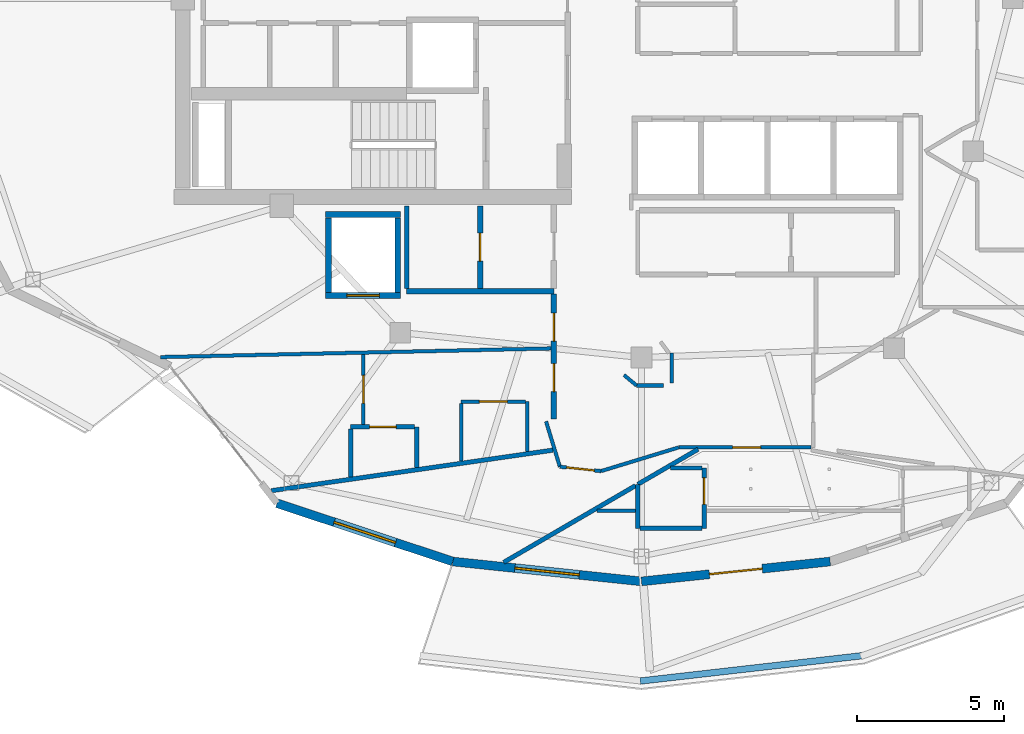
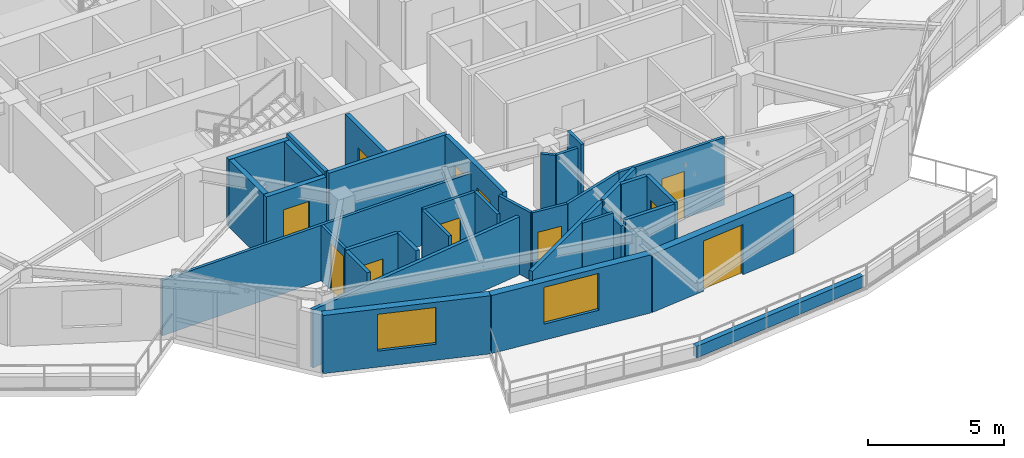
# One storey, part 8 of 21: 35 walls, 11 doors, 2 windows, 13 openings.
"""IFC4 building model written with IfcOpenShell, lengths in metres."""

from ifc_helpers import new_model, si_unit, direction, frame, frame_2d, origin, place, context, subcontext, project, spatial, rectangle, extrude, material, layer, layer_set, type_object, element, fill, save


model = new_model("IFC4")

# Units and contexts
model_context = context("Model", 3, precision=1e-05, world=origin(), true_north=direction((0.0, 1.0)))
body_context = subcontext(model_context, "Body", "Model", "MODEL_VIEW")
ifc_project = project(units=[si_unit("LENGTHUNIT", "METRE"), si_unit("AREAUNIT", "SQUARE_METRE"), si_unit("VOLUMEUNIT", "CUBIC_METRE"), si_unit("PLANEANGLEUNIT", "RADIAN"), si_unit("MASSUNIT", "GRAM", prefix="KILO")], contexts=[model_context])

# Site, building, storey
site_placement = place(None, origin())
site = spatial("IfcSite", under=ifc_project, at=site_placement, CompositionType="ELEMENT")
building_placement = place(site_placement, origin())
building = spatial("IfcBuilding", under=site, at=building_placement, Name="Kolvaren Gate Tower and Convention Centre", CompositionType="ELEMENT")
storey_placement = place(building_placement, frame((0.0, 0.0, 226.10009765625)))
storey = spatial("IfcBuildingStorey", under=building, at=storey_placement, Name="L60", CompositionType="ELEMENT", Elevation=226.10009765625)

# Wall
ifc_material_1 = material(Name="Autoclaved Aerated Masonry Blockwork Class 4 (4.0 MPa)", Category="masonry")
ifc_layer_1 = layer(ifc_material_1, 0.179931640625)
ifc_layer_set_1 = layer_set([ifc_layer_1], Name="Autoclaved Aerated Masonry Blockwork Class 4 (4.0 MPa)")
wall_type_1 = type_object("IfcWallType", Name="ARCH-WL-COMP-180", PredefinedType="SOLIDWALL", material=ifc_layer_set_1)
wall_1_placement = place(storey_placement, frame((22.14990234375, 17.050048828125, 0.0), z_axis=(0.0, 0.0, 1.0), x_axis=(1.0, 0.0, 0.0)))
element("IfcWall", 1, at=wall_1_placement, inside=storey, type_object=wall_type_1, Name="Interior Partition WL-L60-INT-011", PredefinedType="SOLIDWALL", context=body_context, shape_type="SweptSolid", body=[
    extrude(rectangle(XDim=5.0, YDim=0.179931640625, at=frame_2d((2.5, 0.0))), origin(), (0.0, 0.0, 1.0), 3.02978515625),
])

# Wall, opening, door
wall_2_placement = place(storey_placement, frame((24.64990234375, 17.14208984375, 0.0), z_axis=(0.0, 0.0, 1.0), x_axis=(0.0, 1.0, 0.0)))
wall_2 = element("IfcWall", 2, at=wall_2_placement, inside=storey, type_object=wall_type_1, Name="Interior Partition WL-L60-INT-013", PredefinedType="SOLIDWALL", context=body_context, shape_type="SweptSolid", body=[
    extrude(rectangle(XDim=2.807861328125, YDim=0.179931640625, at=frame_2d((1.40380859375, 0.0))), origin(), (0.0, 0.0, 1.0), 3.02978515625),
])
opening_1_placement = place(wall_2_placement, frame((0.928955078125, 0.0, 0.0)))
opening_1 = element("IfcOpeningElement", 3, at=opening_1_placement, cuts=wall_2, Name="Opening DR-01", PredefinedType="OPENING", context=body_context, shape_type="SweptSolid", body=[
    extrude(rectangle(XDim=0.949951171875, YDim=2.10009765625, at=frame_2d((0.47509765625, 1.050048828125))), frame((0.0, 0.099853515625, 0.0), z_axis=(0.0, -1.0, 0.0), x_axis=(1.0, 0.0, 0.0)), (0.0, 0.0, 1.0), 0.199951171875),
])
ifc_material_2 = material(Name="Painted Architectural Steelwork ASTM A500 Grade C 345 MPa", Category="steel")
door_type_1 = type_object("IfcDoorType", Name="ARCH-DR-RISER-950", OperationType="SINGLE_SWING_RIGHT", PredefinedType="DOOR", material=ifc_material_2)
door_1_placement = place(opening_1_placement, origin())
door_1 = element("IfcDoor", 4, at=door_1_placement, inside=storey, type_object=door_type_1, Name="West Valet Store Door", OperationType="SINGLE_SWING_LEFT", OverallHeight=2.10009765625, OverallWidth=0.949951171875, PredefinedType="DOOR", context=body_context, shape_type="SweptSolid", body=[
    extrude(rectangle(XDim=0.949951171875, YDim=2.10009765625, at=frame_2d((0.47509765625, 1.050048828125))), frame((0.0, 0.02490234375, 0.0), z_axis=(0.0, -1.0, 0.0), x_axis=(1.0, 0.0, 0.0)), (0.0, 0.0, 1.0), 0.050048828125),
])
fill(opening_1, door_1)

# Wall, openings, doors
wall_3_placement = place(storey_placement, frame((27.14990234375, 12.714111328125, 0.0), z_axis=(0.0, 0.0, 1.0), x_axis=(0.0, 1.0, 0.0)))
wall_3 = element("IfcWall", 5, at=wall_3_placement, inside=storey, type_object=wall_type_1, Name="Interior Partition WL-L60-INT-014", PredefinedType="SOLIDWALL", context=body_context, shape_type="SweptSolid", body=[
    extrude(rectangle(XDim=4.243896484375, YDim=0.179931640625, at=frame_2d((2.1220703125, 0.0))), origin(), (0.0, 0.0, 1.0), 3.02978515625),
])
opening_2_placement = place(wall_3_placement, frame((0.928466796875, 0.0, 0.0)))
opening_2 = element("IfcOpeningElement", 6, at=opening_2_placement, cuts=wall_3, Name="Opening DR-01", PredefinedType="OPENING", context=body_context, shape_type="SweptSolid", body=[
    extrude(rectangle(XDim=0.949951171875, YDim=2.10009765625, at=frame_2d((0.47509765625, 1.050048828125))), frame((0.0, 0.099853515625, 0.0), z_axis=(0.0, -1.0, 0.0), x_axis=(1.0, 0.0, 0.0)), (0.0, 0.0, 1.0), 0.199951171875),
])
opening_3_placement = place(wall_3_placement, frame((2.640380859375, 0.0, 0.0)))
opening_3 = element("IfcOpeningElement", 7, at=opening_3_placement, cuts=wall_3, Name="Opening DR-01", PredefinedType="OPENING", context=body_context, shape_type="SweptSolid", body=[
    extrude(rectangle(XDim=0.949951171875, YDim=2.10009765625, at=frame_2d((0.47509765625, 1.050048828125))), frame((0.0, 0.099853515625, 0.0), z_axis=(0.0, -1.0, 0.0), x_axis=(1.0, 0.0, 0.0)), (0.0, 0.0, 1.0), 0.199951171875),
])
door_2_placement = place(opening_2_placement, origin())
door_2 = element("IfcDoor", 8, at=door_2_placement, inside=storey, type_object=door_type_1, Name="Duplex Loft Living Room (APT-L60-01) Door", OperationType="SINGLE_SWING_RIGHT", OverallHeight=2.10009765625, OverallWidth=0.949951171875, PredefinedType="DOOR", context=body_context, shape_type="SweptSolid", body=[
    extrude(rectangle(XDim=0.949951171875, YDim=2.10009765625, at=frame_2d((0.47509765625, 1.050048828125))), frame((0.0, 0.02490234375, 0.0), z_axis=(0.0, -1.0, 0.0), x_axis=(1.0, 0.0, 0.0)), (0.0, 0.0, 1.0), 0.050048828125),
])
fill(opening_2, door_2)
door_3_placement = place(opening_3_placement, origin())
door_3 = element("IfcDoor", 9, at=door_3_placement, inside=storey, type_object=door_type_1, Name="Resident Private Study and Home Office Door", OperationType="SINGLE_SWING_RIGHT", OverallHeight=2.10009765625, OverallWidth=0.949951171875, PredefinedType="DOOR", context=body_context, shape_type="SweptSolid", body=[
    extrude(rectangle(XDim=0.949951171875, YDim=2.10009765625, at=frame_2d((0.47509765625, 1.050048828125))), frame((0.0, 0.02490234375, 0.0), z_axis=(0.0, -1.0, 0.0), x_axis=(1.0, 0.0, 0.0)), (0.0, 0.0, 1.0), 0.050048828125),
])
fill(opening_3, door_3)

# Wall, opening, door
ifc_material_3 = material(Name="Fire-Rated Acoustic Gypsum Stud Partition", Category="gypsum")
ifc_layer_2 = layer(ifc_material_3, 0.1201171875)
ifc_layer_set_2 = layer_set([ifc_layer_2], Name="Fire-Rated Acoustic Gypsum Stud Partition")
wall_type_2 = type_object("IfcWallType", Name="ARCH-WL-PART-120", PredefinedType="PARTITIONING", material=ifc_layer_set_2)
wall_4_placement = place(storey_placement, frame((31.39306640625, 11.75, 0.0), z_axis=(0.0, 0.0, 1.0), x_axis=(1.0, 0.0, 0.0)))
wall_4 = element("IfcWall", 10, at=wall_4_placement, inside=storey, type_object=wall_type_2, Name="Interior Partition WL-L60-INT-068", PredefinedType="PARTITIONING", context=body_context, shape_type="SweptSolid", body=[
    extrude(rectangle(XDim=4.494873046875, YDim=0.1201171875, at=frame_2d((2.24755859375, 0.0))), origin(), (0.0, 0.0, 1.0), 3.02978515625),
])
opening_4_placement = place(wall_4_placement, frame((1.829833984375, 0.0, 0.0)))
opening_4 = element("IfcOpeningElement", 11, at=opening_4_placement, cuts=wall_4, Name="Opening DR-01", PredefinedType="OPENING", context=body_context, shape_type="SweptSolid", body=[
    extrude(rectangle(XDim=0.949951171875, YDim=2.10009765625, at=frame_2d((0.47509765625, 1.050048828125))), frame((0.0, 0.070068359375, 0.0), z_axis=(0.0, -1.0, 0.0), x_axis=(1.0, 0.0, 0.0)), (0.0, 0.0, 1.0), 0.14013671875),
])
door_4_placement = place(opening_4_placement, origin())
door_4 = element("IfcDoor", 12, at=door_4_placement, inside=storey, type_object=door_type_1, Name="Duplex Loft Living Room (APT-L60-02) Door", OperationType="SINGLE_SWING_RIGHT", OverallHeight=2.10009765625, OverallWidth=0.949951171875, PredefinedType="DOOR", context=body_context, shape_type="SweptSolid", body=[
    extrude(rectangle(XDim=0.949951171875, YDim=2.10009765625, at=frame_2d((0.47509765625, 1.050048828125))), frame((0.0, 0.02490234375, 0.0), z_axis=(0.0, -1.0, 0.0), x_axis=(1.0, 0.0, 0.0)), (0.0, 0.0, 1.0), 0.050048828125),
])
fill(opening_4, door_4)

# Wall
wall_5_placement = place(storey_placement, frame((28.751953125, 10.944091796875, 0.0), z_axis=(0.0, 0.0, 1.0), x_axis=(0.956462690075, 0.291854625618, 0.0)))
element("IfcWall", 13, at=wall_5_placement, inside=storey, type_object=wall_type_2, Name="Interior Partition WL-L60-INT-069", PredefinedType="PARTITIONING", context=body_context, shape_type="SweptSolid", body=[
    extrude(rectangle(XDim=2.76123046875, YDim=0.1201171875, at=frame_2d((1.380615234375, 0.0))), origin(), (0.0, 0.0, 1.0), 3.02978515625),
])

# Wall, opening, door
wall_6_placement = place(storey_placement, frame((27.35498046875, 11.092041015625, 0.0), z_axis=(0.0, 0.0, 1.0), x_axis=(0.994438591301, -0.105318033263, 0.0)))
wall_6 = element("IfcWall", 14, at=wall_6_placement, inside=storey, type_object=wall_type_2, Name="Interior Partition WL-L60-INT-070", PredefinedType="PARTITIONING", context=body_context, shape_type="SweptSolid", body=[
    extrude(rectangle(XDim=1.40478515625, YDim=0.1201171875, at=frame_2d((0.702392578125, 0.0))), origin(), (0.0, 0.0, 1.0), 3.02978515625),
])
opening_5_placement = place(wall_6_placement, frame((0.227294921875, 0.0, 0.0)))
opening_5 = element("IfcOpeningElement", 15, at=opening_5_placement, cuts=wall_6, Name="Opening DR-01", PredefinedType="OPENING", context=body_context, shape_type="SweptSolid", body=[
    extrude(rectangle(XDim=0.949951171875, YDim=2.10009765625, at=frame_2d((0.47509765625, 1.050048828125))), frame((0.0, 0.070068359375, 0.0), z_axis=(0.0, -1.0, 0.0), x_axis=(1.0, 0.0, 0.0)), (0.0, 0.0, 1.0), 0.14013671875),
])
door_5_placement = place(opening_5_placement, origin())
door_5 = element("IfcDoor", 16, at=door_5_placement, inside=storey, type_object=door_type_1, Name="Resident Committee Meeting Room Door", OperationType="SINGLE_SWING_LEFT", OverallHeight=2.10009765625, OverallWidth=0.949951171875, PredefinedType="DOOR", context=body_context, shape_type="SweptSolid", body=[
    extrude(rectangle(XDim=0.949951171875, YDim=2.10009765625, at=frame_2d((0.47509765625, 1.050048828125))), frame((0.0, 0.02490234375, 0.0), z_axis=(0.0, -1.0, 0.0), x_axis=(1.0, 0.0, 0.0)), (0.0, 0.0, 1.0), 0.050048828125),
])
fill(opening_5, door_5)

# Walls
wall_7_placement = place(storey_placement, frame((26.885009765625, 12.633056640625, 0.0), z_axis=(0.0, 0.0, 1.0), x_axis=(0.291710302586, -0.956506716843, 0.0)))
element("IfcWall", 17, at=wall_7_placement, inside=storey, type_object=wall_type_2, Name="Interior Partition WL-L60-INT-071", PredefinedType="PARTITIONING", context=body_context, shape_type="SweptSolid", body=[
    extrude(rectangle(XDim=1.611083984375, YDim=0.1201171875, at=frame_2d((0.8056640625, 0.0))), origin(), (0.0, 0.0, 1.0), 3.02978515625),
])
wall_8_placement = place(storey_placement, frame((29.9599609375, 13.85009765625, 0.0), z_axis=(0.0, 0.0, 1.0), x_axis=(1.0, 0.0, 0.0)))
element("IfcWall", 18, at=wall_8_placement, inside=storey, type_object=wall_type_2, Name="Interior Partition WL-L60-INT-072", PredefinedType="PARTITIONING", context=body_context, shape_type="SweptSolid", body=[
    extrude(rectangle(XDim=0.9140625, YDim=0.1201171875, at=frame_2d((0.45703125, 0.0))), origin(), (0.0, 0.0, 1.0), 3.02978515625),
])
wall_9_placement = place(storey_placement, frame((31.14990234375, 13.93408203125, 0.0), z_axis=(0.0, 0.0, 1.0), x_axis=(0.0, 1.0, 0.0)))
element("IfcWall", 19, at=wall_9_placement, inside=storey, type_object=wall_type_2, Name="Interior Partition WL-L60-INT-073", PredefinedType="PARTITIONING", context=body_context, shape_type="SweptSolid", body=[
    extrude(rectangle(XDim=1.015869140625, YDim=0.1201171875, at=frame_2d((0.5078125, 0.0))), origin(), (0.0, 0.0, 1.0), 3.02978515625),
])
wall_10_placement = place(storey_placement, frame((29.531005859375, 14.2060546875, 0.0), z_axis=(0.0, 0.0, 1.0), x_axis=(0.7695479554, -0.638589026166, 0.0)))
element("IfcWall", 20, at=wall_10_placement, inside=storey, type_object=wall_type_2, Name="Interior Partition WL-L60-INT-075", PredefinedType="PARTITIONING", context=body_context, shape_type="SweptSolid", body=[
    extrude(rectangle(XDim=0.557373046875, YDim=0.1201171875, at=frame_2d((0.27880859375, 0.0))), origin(), (0.0, 0.0, 1.0), 3.02978515625),
])
wall_11_placement = place(storey_placement, frame((13.800048828125, 14.81396484375, 0.0), z_axis=(0.0, 0.0, 1.0), x_axis=(0.999752677802, 0.022239227231, 0.0)))
element("IfcWall", 21, at=wall_11_placement, inside=storey, type_object=wall_type_2, Name="Interior Partition WL-L60-INT-076", PredefinedType="PARTITIONING", context=body_context, shape_type="SweptSolid", body=[
    extrude(rectangle(XDim=13.26123046875, YDim=0.1201171875, at=frame_2d((6.630615234375, 0.0))), origin(), (0.0, 0.0, 1.0), 2.477783203125),
])
wall_12_placement = place(storey_placement, frame((26.25, 11.60888671875, 0.0), z_axis=(0.0, 0.0, 1.0), x_axis=(0.0, 1.0, 0.0)))
element("IfcWall", 22, at=wall_12_placement, inside=storey, type_object=wall_type_2, Name="Interior Partition WL-L60-INT-078", PredefinedType="PARTITIONING", context=body_context, shape_type="SweptSolid", body=[
    extrude(rectangle(XDim=1.691162109375, YDim=0.1201171875, at=frame_2d((0.845703125, 0.0))), origin(), (0.0, 0.0, 1.0), 3.02978515625),
])

# Wall, opening, door
wall_13_placement = place(storey_placement, frame((24.0, 13.300048828125, 0.0), z_axis=(0.0, 0.0, 1.0), x_axis=(1.0, 0.0, 0.0)))
wall_13 = element("IfcWall", 23, at=wall_13_placement, inside=storey, type_object=wall_type_2, Name="Interior Partition WL-L60-INT-079", PredefinedType="PARTITIONING", context=body_context, shape_type="SweptSolid", body=[
    extrude(rectangle(XDim=2.18798828125, YDim=0.1201171875, at=frame_2d((1.093994140625, 0.0))), origin(), (0.0, 0.0, 1.0), 3.02978515625),
])
opening_6_placement = place(wall_13_placement, frame((0.618896484375, 0.0, 0.0)))
opening_6 = element("IfcOpeningElement", 24, at=opening_6_placement, cuts=wall_13, Name="Opening DI-01", PredefinedType="OPENING", context=body_context, shape_type="SweptSolid", body=[
    extrude(rectangle(XDim=0.949951171875, YDim=2.10009765625, at=frame_2d((0.47509765625, 1.050048828125))), frame((0.0, 0.070068359375, 0.0), z_axis=(0.0, -1.0, 0.0), x_axis=(1.0, 0.0, 0.0)), (0.0, 0.0, 1.0), 0.14013671875),
])
ifc_material_4 = material(Name="FSC Andean Oak Engineered Veneer Door Leaf", Category="wood")
door_type_2 = type_object("IfcDoorType", Name="ARCH-DR-INT-950", OperationType="SINGLE_SWING_LEFT", PredefinedType="DOOR", material=ifc_material_4)
door_6_placement = place(opening_6_placement, origin())
door_6 = element("IfcDoor", 25, at=door_6_placement, inside=storey, type_object=door_type_2, Name="Apartment Fitted Kitchen (APT-L60-01) Door", OperationType="SINGLE_SWING_LEFT", OverallHeight=2.10009765625, OverallWidth=0.949951171875, PredefinedType="DOOR", context=body_context, shape_type="SweptSolid", body=[
    extrude(rectangle(XDim=0.949951171875, YDim=2.10009765625, at=frame_2d((0.47509765625, 1.050048828125))), frame((0.0, 0.02490234375, 0.0), z_axis=(0.0, -1.0, 0.0), x_axis=(1.0, 0.0, 0.0)), (0.0, 0.0, 1.0), 0.050048828125),
])
fill(opening_6, door_6)

# Wall
wall_14_placement = place(storey_placement, frame((24.0, 11.28466796875, 0.0), z_axis=(0.0, 0.0, 1.0), x_axis=(0.0, 1.0, 0.0)))
element("IfcWall", 26, at=wall_14_placement, inside=storey, type_object=wall_type_2, Name="Interior Partition WL-L60-INT-080", PredefinedType="PARTITIONING", context=body_context, shape_type="SweptSolid", body=[
    extrude(rectangle(XDim=1.953369140625, YDim=0.1201171875, at=frame_2d((0.9765625, 0.0))), origin(), (0.0, 0.0, 1.0), 3.02978515625),
])

# Wall, opening, door
wall_15_placement = place(storey_placement, frame((20.679931640625, 12.52587890625, 0.0), z_axis=(0.0, 0.0, 1.0), x_axis=(0.0, 1.0, 0.0)))
wall_15 = element("IfcWall", 27, at=wall_15_placement, inside=storey, type_object=wall_type_2, Name="Interior Partition WL-L60-INT-083", PredefinedType="PARTITIONING", context=body_context, shape_type="SweptSolid", body=[
    extrude(rectangle(XDim=2.379150390625, YDim=0.1201171875, at=frame_2d((1.189453125, 0.0))), origin(), (0.0, 0.0, 1.0), 2.477783203125),
])
opening_7_placement = place(wall_15_placement, frame((0.714599609375, 0.0, 0.0)))
opening_7 = element("IfcOpeningElement", 28, at=opening_7_placement, cuts=wall_15, Name="Opening DI-01", PredefinedType="OPENING", context=body_context, shape_type="SweptSolid", body=[
    extrude(rectangle(XDim=0.949951171875, YDim=2.10009765625, at=frame_2d((0.47509765625, 1.050048828125))), frame((0.0, 0.070068359375, 0.0), z_axis=(0.0, -1.0, 0.0), x_axis=(1.0, 0.0, 0.0)), (0.0, 0.0, 1.0), 0.14013671875),
])
door_7_placement = place(opening_7_placement, origin())
door_7 = element("IfcDoor", 29, at=door_7_placement, inside=storey, type_object=door_type_2, Name="Apartment Bedroom (APT-L60-01) Door", OperationType="SINGLE_SWING_LEFT", OverallHeight=2.10009765625, OverallWidth=0.949951171875, PredefinedType="DOOR", context=body_context, shape_type="SweptSolid", body=[
    extrude(rectangle(XDim=0.949951171875, YDim=2.10009765625, at=frame_2d((0.47509765625, 1.050048828125))), frame((0.0, 0.02490234375, 0.0), z_axis=(0.0, -1.0, 0.0), x_axis=(1.0, 0.0, 0.0)), (0.0, 0.0, 1.0), 0.050048828125),
])
fill(opening_7, door_7)

# Walls
wall_16_placement = place(storey_placement, frame((28.622802734375, 9.60498046875, 0.0), z_axis=(0.0, 0.0, 1.0), x_axis=(1.0, 0.0, 0.0)))
element("IfcWall", 30, at=wall_16_placement, inside=storey, type_object=wall_type_2, Name="Interior Partition WL-L60-INT-093", PredefinedType="PARTITIONING", context=body_context, shape_type="SweptSolid", body=[
    extrude(rectangle(XDim=1.30029296875, YDim=0.1201171875, at=frame_2d((0.650146484375, 0.0))), origin(), (0.0, 0.0, 1.0), 3.02978515625),
])
ifc_material_5 = material(Name="Piedmont Cream Honed Limestone Cladding", Category="masonry")
ifc_layer_3 = layer(ifc_material_5, 0.219970703125)
ifc_layer_set_3 = layer_set([ifc_layer_3], Name="Piedmont Cream Honed Limestone Cladding")
wall_type_3 = type_object("IfcWallType", Name="ARCH-WL-PLANTER-220", PredefinedType="PARAPET", material=ifc_layer_set_3)
wall_17_placement = place(storey_placement, frame((30.07958984375, 3.81640625, 0.0), z_axis=(0.0, 0.0, 1.0), x_axis=(0.993546198781, 0.113428175021, 0.0)))
element("IfcWall", 31, at=wall_17_placement, inside=storey, type_object=wall_type_3, Name="Vertical-Forest Balcony Stone Planter Kerb PK-L60-3.2", PredefinedType="PARAPET", context=body_context, shape_type="SweptSolid", body=[
    extrude(rectangle(XDim=7.6171875, YDim=0.219970703125, at=frame_2d((3.80859375, 0.0))), origin(), (0.0, 0.0, 1.0), 0.52001953125),
])
ifc_layer_4 = layer(ifc_material_1, 0.199951171875)
ifc_layer_set_4 = layer_set([ifc_layer_4], Name="Autoclaved Aerated Masonry Blockwork Class 4 (4.0 MPa)")
wall_type_4 = type_object("IfcWallType", Name="ARCH-WL-SHAFT-200", PredefinedType="SOLIDWALL", material=ifc_layer_set_4)
wall_18_placement = place(storey_placement, frame((19.39990234375, 19.64990234375, 0.0), z_axis=(0.0, 0.0, 1.0), x_axis=(1.0, 0.0, 0.0)))
element("IfcWall", 32, at=wall_18_placement, inside=storey, type_object=wall_type_4, Name="Elevator SV-01 L60 Fire Shaft Wall N", PredefinedType="SOLIDWALL", context=body_context, shape_type="SweptSolid", body=[
    extrude(rectangle(XDim=2.550048828125, YDim=0.199951171875, at=frame_2d((1.27490234375, 0.0))), origin(), (0.0, 0.0, 1.0), 3.02978515625),
])

# Wall, opening, door
wall_19_placement = place(storey_placement, frame((19.39990234375, 16.89990234375, 0.0), z_axis=(0.0, 0.0, 1.0), x_axis=(1.0, 0.0, 0.0)))
wall_19 = element("IfcWall", 33, at=wall_19_placement, inside=storey, type_object=wall_type_4, Name="Elevator SV-01 L60 Fire Shaft Wall S", PredefinedType="SOLIDWALL", context=body_context, shape_type="SweptSolid", body=[
    extrude(rectangle(XDim=2.550048828125, YDim=0.199951171875, at=frame_2d((1.27490234375, 0.0))), origin(), (0.0, 0.0, 1.0), 3.02978515625),
])
opening_8_placement = place(wall_19_placement, frame((0.72509765625, 0.0, 0.0)))
opening_8 = element("IfcOpeningElement", 34, at=opening_8_placement, cuts=wall_19, Name="Opening LD", PredefinedType="OPENING", context=body_context, shape_type="SweptSolid", body=[
    extrude(rectangle(XDim=1.10009765625, YDim=2.199951171875, at=frame_2d((0.550048828125, 1.10009765625))), frame((0.0, 0.10986328125, 0.0), z_axis=(0.0, -1.0, 0.0), x_axis=(1.0, 0.0, 0.0)), (0.0, 0.0, 1.0), 0.219970703125),
])
ifc_material_6 = material(Name="Brushed Stainless Steel Grade 316L", Category="steel")
door_type_3 = type_object("IfcDoorType", Name="ARCH-DR-LIFT-1100", OperationType="SLIDING_TO_LEFT", PredefinedType="DOOR", material=ifc_material_6)
door_8_placement = place(opening_8_placement, origin())
door_8 = element("IfcDoor", 35, at=door_8_placement, inside=storey, type_object=door_type_3, Name="Elevator SV-01 L60 Sliding Landing Door", OperationType="SLIDING_TO_LEFT", OverallHeight=2.199951171875, OverallWidth=1.10009765625, PredefinedType="DOOR", context=body_context, shape_type="SweptSolid", body=[
    extrude(rectangle(XDim=1.10009765625, YDim=2.199951171875, at=frame_2d((0.550048828125, 1.10009765625))), frame((0.0, 0.02490234375, 0.0), z_axis=(0.0, -1.0, 0.0), x_axis=(1.0, 0.0, 0.0)), (0.0, 0.0, 1.0), 0.050048828125),
])
fill(opening_8, door_8)

# Walls
for number, where, z_axis, x_axis, name in (
    (36, (19.5, 17.010009765625, 0.0), (0.0, 0.0, 1.0), (0.0, 1.0, 0.0), "Elevator SV-01 L60 Fire Shaft Wall W"),
    (37, (21.85009765625, 17.010009765625, 0.0), (0.0, 0.0, 1.0), (0.0, 1.0, 0.0), "Elevator SV-01 L60 Fire Shaft Wall E"),
):
    element("IfcWall", number, at=place(storey_placement, frame(where, z_axis=z_axis, x_axis=x_axis)), inside=storey, type_object=wall_type_4, Name=name, PredefinedType="SOLIDWALL", context=body_context, shape_type="SweptSolid", body=[
        extrude(rectangle(XDim=2.530029296875, YDim=0.199951171875, at=frame_2d((1.26513671875, 0.0))), origin(), (0.0, 0.0, 1.0), 3.02978515625),
    ])

# Wall, opening, window
ifc_layer_5 = layer(ifc_material_5, 0.300048828125)
ifc_layer_set_5 = layer_set([ifc_layer_5], Name="Piedmont Cream Honed Limestone Cladding")
wall_type_5 = type_object("IfcWallType", Name="ARCH-WL-STONE-300", PredefinedType="SOLIDWALL", material=ifc_layer_set_5)
wall_20_placement = place(storey_placement, frame((17.75, 9.852783203125, 0.0), z_axis=(0.0, 0.0, 1.0), x_axis=(0.949240877604, -0.314550085495, 0.0)))
wall_20 = element("IfcWall", 38, at=wall_20_placement, inside=storey, type_object=wall_type_5, Name="Tower L60 Honed Stone Spandrel Wall EW-16", PredefinedType="SOLIDWALL", context=body_context, shape_type="SweptSolid", body=[
    extrude(rectangle(XDim=6.288330078125, YDim=0.300048828125, at=frame_2d((3.14404296875, 0.0))), origin(), (0.0, 0.0, 1.0), 2.60498046875),
])
opening_9_placement = place(wall_20_placement, frame((2.0439453125, 0.0, 0.719970703125)))
opening_9 = element("IfcOpeningElement", 39, at=opening_9_placement, cuts=wall_20, Name="Opening W-03", PredefinedType="OPENING", context=body_context, shape_type="SweptSolid", body=[
    extrude(rectangle(XDim=2.199951171875, YDim=1.64990234375, at=frame_2d((1.10009765625, 0.824951171875))), frame((0.0, 0.159912109375, 0.0), z_axis=(0.0, -1.0, 0.0), x_axis=(1.0, 0.0, 0.0)), (0.0, 0.0, 1.0), 0.320068359375),
])
ifc_material_7 = material(Name="Low-E Triple Insulated Glazing Unit 44 mm", Category="glass")
window_type = type_object("IfcWindowType", Name="ARCH-WN-RES-2200", PartitioningType="SINGLE_PANEL", PredefinedType="WINDOW", material=ifc_material_7)
window_1_placement = place(opening_9_placement, origin())
window_1 = element("IfcWindow", 40, at=window_1_placement, inside=storey, type_object=window_type, Name="Tower L60 Punched Stone Facade Window W-16", OverallHeight=1.64990234375, OverallWidth=2.199951171875, PartitioningType="SINGLE_PANEL", PredefinedType="WINDOW", context=body_context, shape_type="SweptSolid", body=[
    extrude(rectangle(XDim=2.199951171875, YDim=1.64990234375, at=frame_2d((1.10009765625, 0.824951171875))), frame((0.0, 0.030029296875, 0.0), z_axis=(0.0, -1.0, 0.0), x_axis=(1.0, 0.0, 0.0)), (0.0, 0.0, 1.0), 0.06005859375),
])
fill(opening_9, window_1)

wall_21_placement = place(storey_placement, frame((23.71923828125, 7.874755859375, 0.0), z_axis=(0.0, 0.0, 1.0), x_axis=(0.994497142298, -0.104763705363, 0.0)))
wall_21 = element("IfcWall", 41, at=wall_21_placement, inside=storey, type_object=wall_type_5, Name="Tower L60 Honed Stone Spandrel Wall EW-17", PredefinedType="SOLIDWALL", context=body_context, shape_type="SweptSolid", body=[
    extrude(rectangle(XDim=6.441162109375, YDim=0.300048828125, at=frame_2d((3.220703125, 0.0))), origin(), (0.0, 0.0, 1.0), 2.60498046875),
])
opening_10_placement = place(wall_21_placement, frame((2.12109375, 0.0, 0.719970703125)))
opening_10 = element("IfcOpeningElement", 42, at=opening_10_placement, cuts=wall_21, Name="Opening W-03", PredefinedType="OPENING", context=body_context, shape_type="SweptSolid", body=[
    extrude(rectangle(XDim=2.199951171875, YDim=1.64990234375, at=frame_2d((1.10009765625, 0.824951171875))), frame((0.0, 0.159912109375, 0.0), z_axis=(0.0, -1.0, 0.0), x_axis=(1.0, 0.0, 0.0)), (0.0, 0.0, 1.0), 0.320068359375),
])
window_2_placement = place(opening_10_placement, origin())
window_2 = element("IfcWindow", 43, at=window_2_placement, inside=storey, type_object=window_type, Name="Tower L60 Punched Stone Facade Window W-17", OverallHeight=1.64990234375, OverallWidth=2.199951171875, PartitioningType="SINGLE_PANEL", PredefinedType="WINDOW", context=body_context, shape_type="SweptSolid", body=[
    extrude(rectangle(XDim=2.199951171875, YDim=1.64990234375, at=frame_2d((1.10009765625, 0.824951171875))), frame((0.0, 0.030029296875, 0.0), z_axis=(0.0, -1.0, 0.0), x_axis=(1.0, 0.0, 0.0)), (0.0, 0.0, 1.0), 0.06005859375),
])
fill(opening_10, window_2)

# Wall, opening, door
wall_22_placement = place(storey_placement, frame((30.125, 7.199951171875, 0.0), z_axis=(0.0, 0.0, 1.0), x_axis=(0.994497142298, 0.104763705363, 0.0)))
wall_22 = element("IfcWall", 44, at=wall_22_placement, inside=storey, type_object=wall_type_5, Name="Tower L60 Honed Stone Spandrel Wall EW-18", PredefinedType="SOLIDWALL", context=body_context, shape_type="SweptSolid", body=[
    extrude(rectangle(XDim=6.441162109375, YDim=0.300048828125, at=frame_2d((3.220703125, 0.0))), origin(), (0.0, 0.0, 1.0), 2.60498046875),
])
opening_11_placement = place(wall_22_placement, frame((2.321044921875, 0.0, 0.0)))
opening_11 = element("IfcOpeningElement", 45, at=opening_11_placement, cuts=wall_22, Name="Opening DB-01", PredefinedType="OPENING", context=body_context, shape_type="SweptSolid", body=[
    extrude(rectangle(XDim=1.800048828125, YDim=2.25, at=frame_2d((0.89990234375, 1.125))), frame((0.0, 0.159912109375, 0.0), z_axis=(0.0, -1.0, 0.0), x_axis=(1.0, 0.0, 0.0)), (0.0, 0.0, 1.0), 0.320068359375),
])
ifc_material_8 = material(Name="Anodized Architectural Aluminium Alloy 6063-T6", Category="aluminium")
door_type_4 = type_object("IfcDoorType", Name="ARCH-DR-BALC-1800", OperationType="SLIDING_TO_LEFT", PredefinedType="DOOR", material=ifc_material_8)
door_9_placement = place(opening_11_placement, frame((1.800048828125, 0.0, 0.0), z_axis=(0.0, 0.0, 1.0), x_axis=(-1.0, 0.0, 0.0)))
door_9 = element("IfcDoor", 46, at=door_9_placement, inside=storey, type_object=door_type_4, Name="Planted Sky Terrace Access Door DB-L60-18", OperationType="SLIDING_TO_LEFT", OverallHeight=2.25, OverallWidth=1.800048828125, PredefinedType="DOOR", context=body_context, shape_type="SweptSolid", body=[
    extrude(rectangle(XDim=1.800048828125, YDim=2.25, at=frame_2d((0.89990234375, 1.125))), frame((0.0, 0.02490234375, 0.0), z_axis=(0.0, -1.0, 0.0), x_axis=(1.0, 0.0, 0.0)), (0.0, 0.0, 1.0), 0.050048828125),
])
fill(opening_11, door_9)

# Walls
ifc_material_9 = material(Name="Moisture-Resistant Cement-Board Acoustic Partition", Category="gypsum")
ifc_layer_6 = layer(ifc_material_9, 0.14990234375)
ifc_layer_set_6 = layer_set([ifc_layer_6], Name="Moisture-Resistant Cement-Board Acoustic Partition")
wall_type_6 = type_object("IfcWallType", Name="ARCH-WL-WET-150", PredefinedType="PARTITIONING", material=ifc_layer_set_6)
wall_23_placement = place(storey_placement, frame((22.14990234375, 17.14208984375, 0.0), z_axis=(0.0, 0.0, 1.0), x_axis=(0.0, 1.0, 0.0)))
element("IfcWall", 47, at=wall_23_placement, inside=storey, type_object=wall_type_6, Name="Interior Partition WL-L60-INT-012", PredefinedType="PARTITIONING", context=body_context, shape_type="SweptSolid", body=[
    extrude(rectangle(XDim=2.807861328125, YDim=0.14990234375, at=frame_2d((1.40380859375, 0.0))), origin(), (0.0, 0.0, 1.0), 3.02978515625),
])
wall_24_placement = place(storey_placement, frame((30.0, 9.0, 0.0), z_axis=(0.0, 0.0, 1.0), x_axis=(0.0, 1.0, 0.0)))
element("IfcWall", 48, at=wall_24_placement, inside=storey, type_object=wall_type_6, Name="Interior Partition WL-L60-INT-017", PredefinedType="PARTITIONING", context=body_context, shape_type="SweptSolid", body=[
    extrude(rectangle(XDim=1.49609375, YDim=0.14990234375, at=frame_2d((0.748046875, 0.0))), origin(), (0.0, 0.0, 1.0), 2.77001953125),
])
wall_25_placement = place(storey_placement, frame((17.55859375, 10.27880859375, 0.0), z_axis=(0.0, 0.0, 1.0), x_axis=(0.989781460933, 0.142592635129, 0.0)))
element("IfcWall", 49, at=wall_25_placement, inside=storey, type_object=wall_type_6, Name="Interior Partition WL-L60-INT-077", PredefinedType="PARTITIONING", context=body_context, shape_type="SweptSolid", body=[
    extrude(rectangle(XDim=9.658203125, YDim=0.14990234375, at=frame_2d((4.8291015625, 0.0))), origin(), (0.0, 0.0, 1.0), 2.60498046875),
])
wall_26_placement = place(storey_placement, frame((22.5, 11.068603515625, 0.0), z_axis=(0.0, 0.0, 1.0), x_axis=(0.0, 1.0, 0.0)))
element("IfcWall", 50, at=wall_26_placement, inside=storey, type_object=wall_type_6, Name="Interior Partition WL-L60-INT-081", PredefinedType="PARTITIONING", context=body_context, shape_type="SweptSolid", body=[
    extrude(rectangle(XDim=1.38037109375, YDim=0.14990234375, at=frame_2d((0.690185546875, 0.0))), origin(), (0.0, 0.0, 1.0), 3.02978515625),
])

# Wall, opening, door
wall_27_placement = place(storey_placement, frame((20.25, 12.448974609375, 0.0), z_axis=(0.0, 0.0, 1.0), x_axis=(1.0, 0.0, 0.0)))
wall_27 = element("IfcWall", 51, at=wall_27_placement, inside=storey, type_object=wall_type_6, Name="Interior Partition WL-L60-INT-082", PredefinedType="PARTITIONING", context=body_context, shape_type="SweptSolid", body=[
    extrude(rectangle(XDim=2.173095703125, YDim=0.14990234375, at=frame_2d((1.08642578125, 0.0))), origin(), (0.0, 0.0, 1.0), 3.02978515625),
])
opening_12_placement = place(wall_27_placement, frame((0.646484375, 0.0, 0.0)))
opening_12 = element("IfcOpeningElement", 52, at=opening_12_placement, cuts=wall_27, Name="Opening DW-01", PredefinedType="OPENING", context=body_context, shape_type="SweptSolid", body=[
    extrude(rectangle(XDim=0.89990234375, YDim=2.10009765625, at=frame_2d((0.449951171875, 1.050048828125))), frame((0.0, 0.0849609375, 0.0), z_axis=(0.0, -1.0, 0.0), x_axis=(1.0, 0.0, 0.0)), (0.0, 0.0, 1.0), 0.169921875),
])
door_type_5 = type_object("IfcDoorType", Name="ARCH-DR-WC-900", OperationType="SINGLE_SWING_RIGHT", PredefinedType="DOOR", material=ifc_material_4)
door_10_placement = place(opening_12_placement, origin())
door_10 = element("IfcDoor", 53, at=door_10_placement, inside=storey, type_object=door_type_5, Name="Apartment Bathroom (APT-L60-01) Door", OperationType="SINGLE_SWING_RIGHT", OverallHeight=2.10009765625, OverallWidth=0.89990234375, PredefinedType="DOOR", context=body_context, shape_type="SweptSolid", body=[
    extrude(rectangle(XDim=0.89990234375, YDim=2.10009765625, at=frame_2d((0.449951171875, 1.050048828125))), frame((0.0, 0.02490234375, 0.0), z_axis=(0.0, -1.0, 0.0), x_axis=(1.0, 0.0, 0.0)), (0.0, 0.0, 1.0), 0.050048828125),
])
fill(opening_12, door_10)

# Walls
wall_28_placement = place(storey_placement, frame((20.25, 10.744384765625, 0.0), z_axis=(0.0, 0.0, 1.0), x_axis=(0.0, 1.0, 0.0)))
element("IfcWall", 54, at=wall_28_placement, inside=storey, type_object=wall_type_6, Name="Interior Partition WL-L60-INT-084", PredefinedType="PARTITIONING", context=body_context, shape_type="SweptSolid", body=[
    extrude(rectangle(XDim=1.627685546875, YDim=0.14990234375, at=frame_2d((0.81396484375, 0.0))), origin(), (0.0, 0.0, 1.0), 3.02978515625),
])
wall_29_placement = place(storey_placement, frame((25.44677734375, 7.845703125, 0.0), z_axis=(0.0, 0.0, 1.0), x_axis=(0.864279409289, 0.503012030353, 0.0)))
element("IfcWall", 55, at=wall_29_placement, inside=storey, type_object=wall_type_6, Name="Interior Partition WL-L60-INT-085", PredefinedType="PARTITIONING", context=body_context, shape_type="SweptSolid", body=[
    extrude(rectangle(XDim=5.17919921875, YDim=0.14990234375, at=frame_2d((2.589599609375, 0.0))), origin(), (0.0, 0.0, 1.0), 3.02978515625),
])
wall_30_placement = place(storey_placement, frame((30.00048828125, 10.49609375, 0.0), z_axis=(0.0, 0.0, 1.0), x_axis=(0.864297850125, 0.50298034382, 0.0)))
element("IfcWall", 56, at=wall_30_placement, inside=storey, type_object=wall_type_6, Name="Interior Partition WL-L60-INT-085 (2)", PredefinedType="PARTITIONING", context=body_context, shape_type="SweptSolid", body=[
    extrude(rectangle(XDim=2.36962890625, YDim=0.14990234375, at=frame_2d((1.184814453125, 0.0))), origin(), (0.0, 0.0, 1.0), 3.02978515625),
])

# Wall, opening, door
wall_31_placement = place(storey_placement, frame((32.25, 9.0, 0.0), z_axis=(0.0, 0.0, 1.0), x_axis=(0.0, 1.0, 0.0)))
wall_31 = element("IfcWall", 57, at=wall_31_placement, inside=storey, type_object=wall_type_6, Name="Interior Partition WL-L60-INT-088", PredefinedType="PARTITIONING", context=body_context, shape_type="SweptSolid", body=[
    extrude(rectangle(XDim=2.050048828125, YDim=0.14990234375, at=frame_2d((1.02490234375, 0.0))), origin(), (0.0, 0.0, 1.0), 3.02978515625),
])
opening_13_placement = place(wall_31_placement, frame((0.8125, 0.0, 0.0)))
opening_13 = element("IfcOpeningElement", 58, at=opening_13_placement, cuts=wall_31, Name="Opening DW-01", PredefinedType="OPENING", context=body_context, shape_type="SweptSolid", body=[
    extrude(rectangle(XDim=0.89990234375, YDim=2.10009765625, at=frame_2d((0.449951171875, 1.050048828125))), frame((0.0, 0.0849609375, 0.0), z_axis=(0.0, -1.0, 0.0), x_axis=(1.0, 0.0, 0.0)), (0.0, 0.0, 1.0), 0.169921875),
])
door_11_placement = place(opening_13_placement, origin())
door_11 = element("IfcDoor", 59, at=door_11_placement, inside=storey, type_object=door_type_5, Name="Apartment Bathroom (APT-L60-02) Door", OperationType="SINGLE_SWING_LEFT", OverallHeight=2.10009765625, OverallWidth=0.89990234375, PredefinedType="DOOR", context=body_context, shape_type="SweptSolid", body=[
    extrude(rectangle(XDim=0.89990234375, YDim=2.10009765625, at=frame_2d((0.449951171875, 1.050048828125))), frame((0.0, 0.02490234375, 0.0), z_axis=(0.0, -1.0, 0.0), x_axis=(1.0, 0.0, 0.0)), (0.0, 0.0, 1.0), 0.050048828125),
])
fill(opening_13, door_11)

# Walls
wall_32_placement = place(storey_placement, frame((31.10546875, 11.050048828125, 0.0), z_axis=(0.0, 0.0, 1.0), x_axis=(1.0, 0.0, 0.0)))
element("IfcWall", 60, at=wall_32_placement, inside=storey, type_object=wall_type_6, Name="Interior Partition WL-L60-INT-089", PredefinedType="PARTITIONING", context=body_context, shape_type="SweptSolid", body=[
    extrude(rectangle(XDim=1.067626953125, YDim=0.14990234375, at=frame_2d((0.53369140625, 0.0))), origin(), (0.0, 0.0, 1.0), 3.02978515625),
])
wall_33_placement = place(storey_placement, frame((30.076904296875, 9.0, 0.0), z_axis=(0.0, 0.0, 1.0), x_axis=(1.0, 0.0, 0.0)))
element("IfcWall", 61, at=wall_33_placement, inside=storey, type_object=wall_type_6, Name="Interior Partition WL-L60-INT-097", PredefinedType="PARTITIONING", context=body_context, shape_type="SweptSolid", body=[
    extrude(rectangle(XDim=2.09619140625, YDim=0.14990234375, at=frame_2d((1.048095703125, 0.0))), origin(), (0.0, 0.0, 1.0), 3.02978515625),
])

save(model, "model.ifc")
